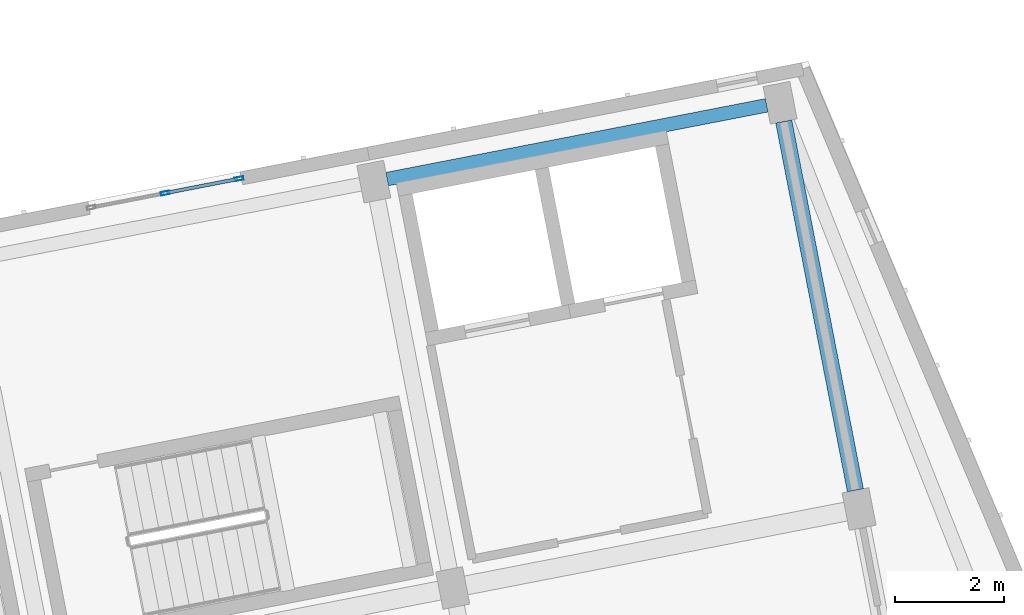
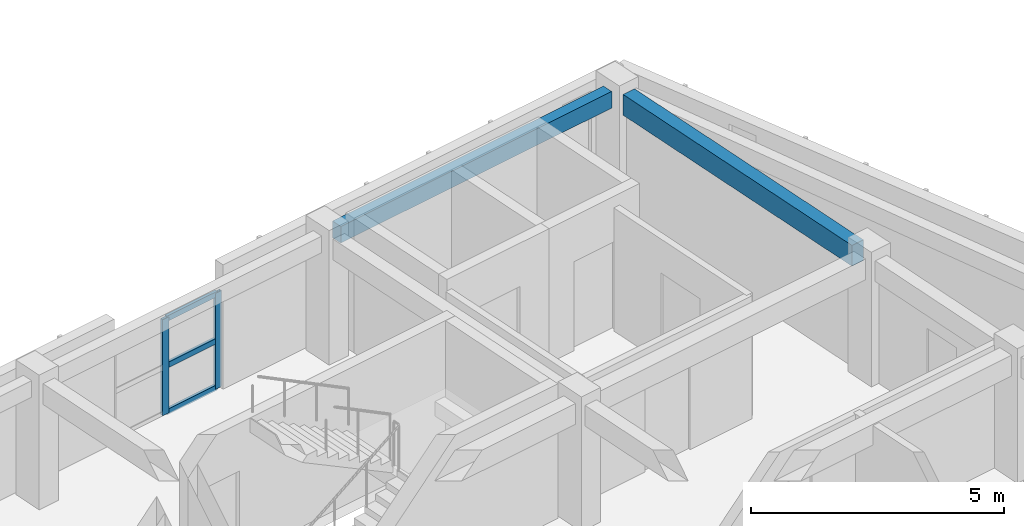
# One storey, part 58 of 127: 5 members, 2 beams, 1 element without a shape of its own.
"""IFC4 building model written with IfcOpenShell, lengths in metres."""

from ifc_helpers import new_model, si_unit, direction, frame, origin, origin_2d, place, context, subcontext, project, spatial, rectangle, hollow_rectangle, extrude, material, material_profile, profile_set, type_object, element, aggregate, save


model = new_model("IFC4")

# Units and contexts
model_context = context("Model", 3, precision=1e-05, world=origin(), true_north=direction((0.0, 1.0)))
body_context = subcontext(model_context, "Body", "Model", "MODEL_VIEW")
ifc_project = project(units=[si_unit("LENGTHUNIT", "METRE"), si_unit("AREAUNIT", "SQUARE_METRE"), si_unit("VOLUMEUNIT", "CUBIC_METRE"), si_unit("PLANEANGLEUNIT", "RADIAN"), si_unit("MASSUNIT", "GRAM", prefix="KILO")], contexts=[model_context])

# Site, building, storey
site_placement = place(None, origin())
site = spatial("IfcSite", under=ifc_project, at=site_placement, CompositionType="ELEMENT")
building_placement = place(site_placement, origin())
building = spatial("IfcBuilding", under=site, at=building_placement, Name="Kestramere Prow Commons", CompositionType="ELEMENT")
storey_placement = place(building_placement, frame((0.0, 0.0, 8.39990234375)))
storey = spatial("IfcBuildingStorey", under=building, at=storey_placement, Name="L02", CompositionType="ELEMENT", Elevation=8.39990234375)

# Beam
ifc_material_1 = material(Name="Precast concrete C40/50", Category="concrete")
ifc_material_profile_1 = material_profile(ifc_material_1, rectangle(XDim=0.300048828125, YDim=0.5, at=origin_2d()), Name="PC-BM 300x500")
ifc_profile_set_1 = profile_set([ifc_material_profile_1], Name="Precast concrete C40/50")
beam_type_1 = type_object("IfcBeamType", Name="BM-TIE-01 PC-BM 300x500", PredefinedType="BEAM", material=ifc_profile_set_1)
beam_1_placement = place(storey_placement, frame((160.8056640625, 54.823974609375, 2.75), z_axis=(-0.190819465253, 0.981625148252, 0.0), x_axis=(-0.981625148252, -0.190819465253, 0.0)))
element("IfcBeam", 1, at=beam_1_placement, inside=storey, type_object=beam_type_1, Name="Block D L02 Transverse Beam 7-3", PredefinedType="BEAM", context=body_context, shape_type="SweptSolid", body=[
    extrude(rectangle(XDim=0.300048828125, YDim=0.5, at=origin_2d()), origin(), (0.0, 0.0, 1.0), 6.89990234375),
])

# Curtain wall, members
ifc_material_2 = material(Name="Anodised Aluminium and Low-E Glass", Category="aluminium")
curtain_wall_type = type_object("IfcCurtainWallType", Name="CW-03 Glazed Curtain Wall 2830x2320", PredefinedType="USERDEFINED", material=ifc_material_2)
curtain_wall_placement = place(storey_placement, origin())
curtain_wall = element("IfcCurtainWall", 2, at=curtain_wall_placement, inside=storey, type_object=curtain_wall_type, Name="Block D L02 Stairwell Vertical Glazing 5", ObjectType="GLAZED CURTAIN WALL", PredefinedType="USERDEFINED")
ifc_material_3 = material(Name="Anodised Aluminium 6063-T6", Category="aluminium")
ifc_material_profile_2 = material_profile(ifc_material_3, hollow_rectangle(XDim=0.06494140625, YDim=0.159912109375, WallThickness=0.00390625, at=origin_2d()), Name="ALU-MUL 65x160")
ifc_profile_set_2 = profile_set([ifc_material_profile_2], Name="Anodised Aluminium 6063-T6")
member_type_1 = type_object("IfcMemberType", Name="CW-MUL-65x160", PredefinedType="MULLION", material=ifc_profile_set_2)
member_1_placement = place(storey_placement, frame((148.131591796875, 60.281005859375, 0.0), z_axis=(0.0, 0.0, 1.0), x_axis=(-0.190808835118, 0.981627214599, 0.0)))
member_1 = element("IfcMember", 3, at=member_1_placement, type_object=member_type_1, Name="CW-03 mullion 2", PredefinedType="MULLION", context=body_context, shape_type="SweptSolid", body=[
    extrude(hollow_rectangle(XDim=0.06494140625, YDim=0.159912109375, WallThickness=0.00390625, at=origin_2d()), origin(), (0.0, 0.0, 1.0), 2.320068359375),
])
member_2_placement = place(storey_placement, frame((149.48876953125, 60.544677734375, 0.0), z_axis=(0.0, 0.0, 1.0), x_axis=(-0.190808835118, 0.981627214599, 0.0)))
member_2 = element("IfcMember", 4, at=member_2_placement, type_object=member_type_1, Name="CW-03 mullion 3", PredefinedType="MULLION", context=body_context, shape_type="SweptSolid", body=[
    extrude(hollow_rectangle(XDim=0.06494140625, YDim=0.159912109375, WallThickness=0.00390625, at=origin_2d()), origin(), (0.0, 0.0, 1.0), 2.320068359375),
])
ifc_material_profile_3 = material_profile(ifc_material_3, hollow_rectangle(XDim=0.06494140625, YDim=0.1298828125, WallThickness=0.00390625, at=origin_2d()), Name="ALU-TRN 65x130")
ifc_profile_set_3 = profile_set([ifc_material_profile_3], Name="Anodised Aluminium 6063-T6")
member_type_2 = type_object("IfcMemberType", Name="CW-TRN-65x130", PredefinedType="USERDEFINED", material=ifc_profile_set_3)
member_3_placement = place(storey_placement, frame((148.16357421875, 60.287109375, 0.03271484375), z_axis=(0.981614425191, 0.190874619208, 0.0), x_axis=(-0.190874619208, 0.981614425191, 0.0)))
member_3 = element("IfcMember", 5, at=member_3_placement, type_object=member_type_2, Name="CW-03 transom 2.1", ObjectType="TRANSOM", PredefinedType="USERDEFINED", context=body_context, shape_type="SweptSolid", body=[
    extrude(hollow_rectangle(XDim=0.06494140625, YDim=0.1298828125, WallThickness=0.00390625, at=origin_2d()), origin(), (0.0, 0.0, 1.0), 1.3173828125),
])
member_4_placement = place(storey_placement, frame((148.16357421875, 60.287109375, 1.16015625), z_axis=(0.981614425191, 0.190874619208, 0.0), x_axis=(-0.190874619208, 0.981614425191, 0.0)))
member_4 = element("IfcMember", 6, at=member_4_placement, type_object=member_type_2, Name="CW-03 transom 2.2", ObjectType="TRANSOM", PredefinedType="USERDEFINED", context=body_context, shape_type="SweptSolid", body=[
    extrude(hollow_rectangle(XDim=0.06494140625, YDim=0.1298828125, WallThickness=0.00390625, at=origin_2d()), origin(), (0.0, 0.0, 1.0), 1.3173828125),
])
member_5_placement = place(storey_placement, frame((148.16357421875, 60.287109375, 2.28759765625), z_axis=(0.981614425191, 0.190874619208, 0.0), x_axis=(-0.190874619208, 0.981614425191, 0.0)))
member_5 = element("IfcMember", 7, at=member_5_placement, type_object=member_type_2, Name="CW-03 transom 2.3", ObjectType="TRANSOM", PredefinedType="USERDEFINED", context=body_context, shape_type="SweptSolid", body=[
    extrude(hollow_rectangle(XDim=0.06494140625, YDim=0.1298828125, WallThickness=0.00390625, at=origin_2d()), origin(), (0.0, 0.0, 1.0), 1.3173828125),
])
aggregate(curtain_wall, [member_1, member_2, member_3, member_4, member_5])

# Beam
ifc_material_profile_4 = material_profile(ifc_material_1, rectangle(XDim=0.25, YDim=0.39990234375, at=origin_2d()), Name="PC-SP 250x400")
ifc_profile_set_4 = profile_set([ifc_material_profile_4], Name="Precast concrete C40/50")
beam_type_2 = type_object("IfcBeamType", Name="SP-EXT-01 PC-SP 250x400", PredefinedType="SPANDREL", material=ifc_profile_set_4)
beam_2_placement = place(storey_placement, frame((152.207275390625, 60.538330078125, 2.800048828125), z_axis=(0.98162827229, 0.190803393686, 0.0), x_axis=(-0.190803393686, 0.98162827229, 0.0)))
element("IfcBeam", 8, at=beam_2_placement, inside=storey, type_object=beam_type_2, Name="Block D L02 Longitudinal Beam 4-6", PredefinedType="SPANDREL", context=body_context, shape_type="SweptSolid", body=[
    extrude(rectangle(XDim=0.25, YDim=0.39990234375, at=origin_2d()), origin(), (0.0, 0.0, 1.0), 7.10009765625),
])

save(model, "model.ifc")
